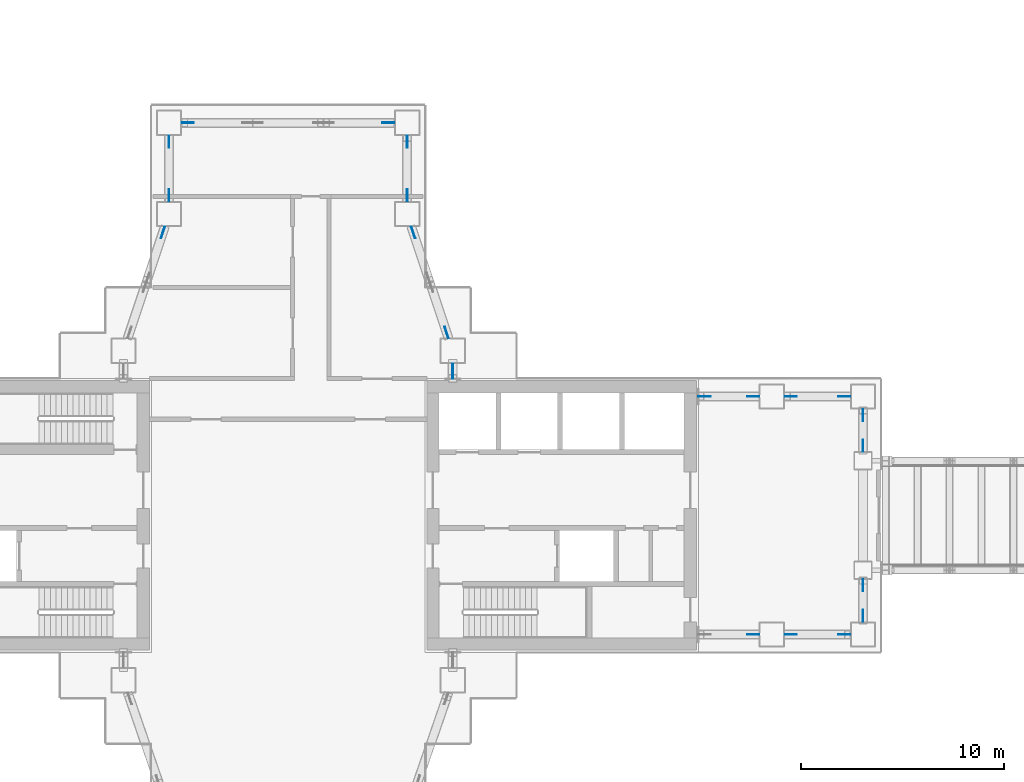
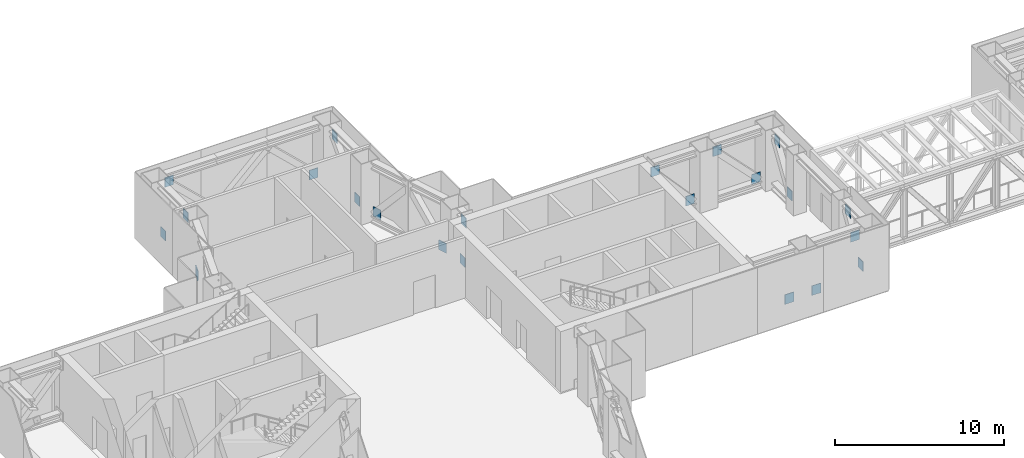
# One storey, part 17 of 21: 22 discrete accessories.
"""IFC4 building model written with IfcOpenShell, lengths in metres."""

from ifc_helpers import new_model, si_unit, direction, frame, origin, origin_2d, place, context, subcontext, project, spatial, rectangle, extrude, material, layer, layer_set, type_object, element, save


model = new_model("IFC4")

# Units and contexts
model_context = context("Model", 3, precision=1e-05, world=origin(), true_north=direction((0.0, 1.0)))
body_context = subcontext(model_context, "Body", "Model", "MODEL_VIEW")
ifc_project = project(units=[si_unit("LENGTHUNIT", "METRE"), si_unit("AREAUNIT", "SQUARE_METRE"), si_unit("VOLUMEUNIT", "CUBIC_METRE"), si_unit("PLANEANGLEUNIT", "RADIAN"), si_unit("MASSUNIT", "GRAM", prefix="KILO")], contexts=[model_context])

# Site, building, storey
site_placement = place(None, origin())
site = spatial("IfcSite", under=ifc_project, at=site_placement, CompositionType="ELEMENT")
building_placement = place(site_placement, origin())
building = spatial("IfcBuilding", under=site, at=building_placement, Name="Shamsa Quay Exchange Towers", CompositionType="ELEMENT")
storey_placement = place(building_placement, frame((0.0, 0.0, 128.699951171875)))
storey = spatial("IfcBuildingStorey", under=building, at=storey_placement, Name="L30", CompositionType="ELEMENT", Elevation=128.699951171875)

# Discrete accessories
ifc_material = material(Name="Steel S355", Category="steel")
ifc_layer = layer(ifc_material, 0.0400390625)
ifc_layer_set = layer_set([ifc_layer], Name="End plate 600x700x40")
discrete_accessory_type = type_object("IfcDiscreteAccessoryType", Name="End plate 600x700x40", PredefinedType="BRACKET", material=ifc_layer_set)
discrete_accessory_placement = place(storey_placement, frame((-10.800048828125, -5.875, 0.38134765625), z_axis=(0.0, 0.0, 1.0), x_axis=(-1.0, 0.0, 0.0)))
element("IfcDiscreteAccessory", 1, at=discrete_accessory_placement, inside=storey, type_object=discrete_accessory_type, Name="End plate T1 L30", PredefinedType="BRACKET", context=body_context, shape_type="SweptSolid", body=[
    extrude(rectangle(XDim=0.60009765625, YDim=0.0400390625, at=origin_2d()), origin(), (0.0, 0.0, 1.0), 0.699951171875),
])
for number, where, name in (
    (2, (-8.949951171875, -5.875, 0.38134765625), "End plate T1 L30"),
    (3, (-6.300048828125, -5.875, 3.31884765625), "End plate T1 L30"),
):
    element("IfcDiscreteAccessory", number, at=place(storey_placement, frame(where)), inside=storey, type_object=discrete_accessory_type, Name=name, PredefinedType="BRACKET", context=body_context, shape_type="SweptSolid", body=[
        extrude(rectangle(XDim=0.60009765625, YDim=0.0400390625, at=origin_2d()), origin(), (0.0, 0.0, 1.0), 0.699951171875),
    ])
for number, where, z_axis, x_axis, name in (
    (4, (-5.375, -4.949951171875, 0.38134765625), (0.0, 0.0, 1.0), (0.0, 1.0, 0.0), "End plate T1 L30"),
    (5, (-5.375, -3.449951171875, 3.31884765625), (0.0, 0.0, 1.0), (0.0, 1.0, 0.0), "End plate T1 L30"),
    (6, (-5.375, 3.449951171875, 0.38134765625), (0.0, 0.0, 1.0), (0.0, 1.0, 0.0), "End plate T1 L30"),
    (7, (-5.375, 4.949951171875, 3.31884765625), (0.0, 0.0, 1.0), (0.0, 1.0, 0.0), "End plate T1 L30"),
    (8, (-6.300048828125, 5.875, 0.38134765625), (0.0, 0.0, 1.0), (-1.0, 0.0, 0.0), "End plate T1 L30"),
    (9, (-8.949951171875, 5.875, 3.31884765625), (0.0, 0.0, 1.0), (-1.0, 0.0, 0.0), "End plate T1 L30"),
    (10, (-10.800048828125, 5.875, 0.38134765625), (0.0, 0.0, 1.0), (-1.0, 0.0, 0.0), "End plate T1 L30"),
    (11, (-13.199951171875, 5.875, 3.31884765625), (0.0, 0.0, 1.0), (-1.0, 0.0, 0.0), "End plate T1 L30"),
    (12, (-25.625, 7.199951171875, 0.38134765625), (0.0, 0.0, 1.0), (0.0, -1.0, 0.0), "End plate T1 L30"),
    (13, (-25.625, 7.050048828125, 3.31884765625), (0.0, 0.0, 1.0), (0.0, -1.0, 0.0), "End plate T1 L30"),
    (14, (-25.92822265625, 9.03466796875, 0.38134765625), (0.0, 0.0, 1.0), (-0.316227766018, 0.94868329805, 0.0), "End plate T1 L30"),
    (15, (-27.57177734375, 13.96533203125, 0.38134765625), (0.0, 0.0, 1.0), (-0.316227766018, 0.94868329805, 0.0), "End plate T1 L30"),
    (16, (-27.875, 15.800048828125, 0.38134765625), (0.0, 0.0, 1.0), (0.0, 1.0, 0.0), "End plate T1 L30"),
    (17, (-27.875, 18.449951171875, 3.31884765625), (0.0, 0.0, 1.0), (0.0, 1.0, 0.0), "End plate T1 L30"),
    (18, (-28.800048828125, 19.375, 0.38134765625), (0.0, 0.0, 1.0), (-1.0, 0.0, 0.0), "End plate T1 L30"),
    (19, (-38.699951171875, 19.375, 3.31884765625), (0.0, 0.0, 1.0), (-1.0, 0.0, 0.0), "End plate T1 L30"),
    (20, (-39.625, 18.449951171875, 0.38134765625), (0.0, 0.0, 1.0), (0.0, -1.0, 0.0), "End plate T1 L30"),
    (21, (-39.625, 15.800048828125, 3.31884765625), (0.0, 0.0, 1.0), (0.0, -1.0, 0.0), "End plate T1 L30"),
    (22, (-39.92822265625, 13.96533203125, 0.38134765625), (0.0, 0.0, 1.0), (-0.316227766018, -0.94868329805, 0.0), "End plate T1 L30"),
):
    element("IfcDiscreteAccessory", number, at=place(storey_placement, frame(where, z_axis=z_axis, x_axis=x_axis)), inside=storey, type_object=discrete_accessory_type, Name=name, PredefinedType="BRACKET", context=body_context, shape_type="SweptSolid", body=[
        extrude(rectangle(XDim=0.60009765625, YDim=0.0400390625, at=origin_2d()), origin(), (0.0, 0.0, 1.0), 0.699951171875),
    ])

save(model, "model.ifc")
